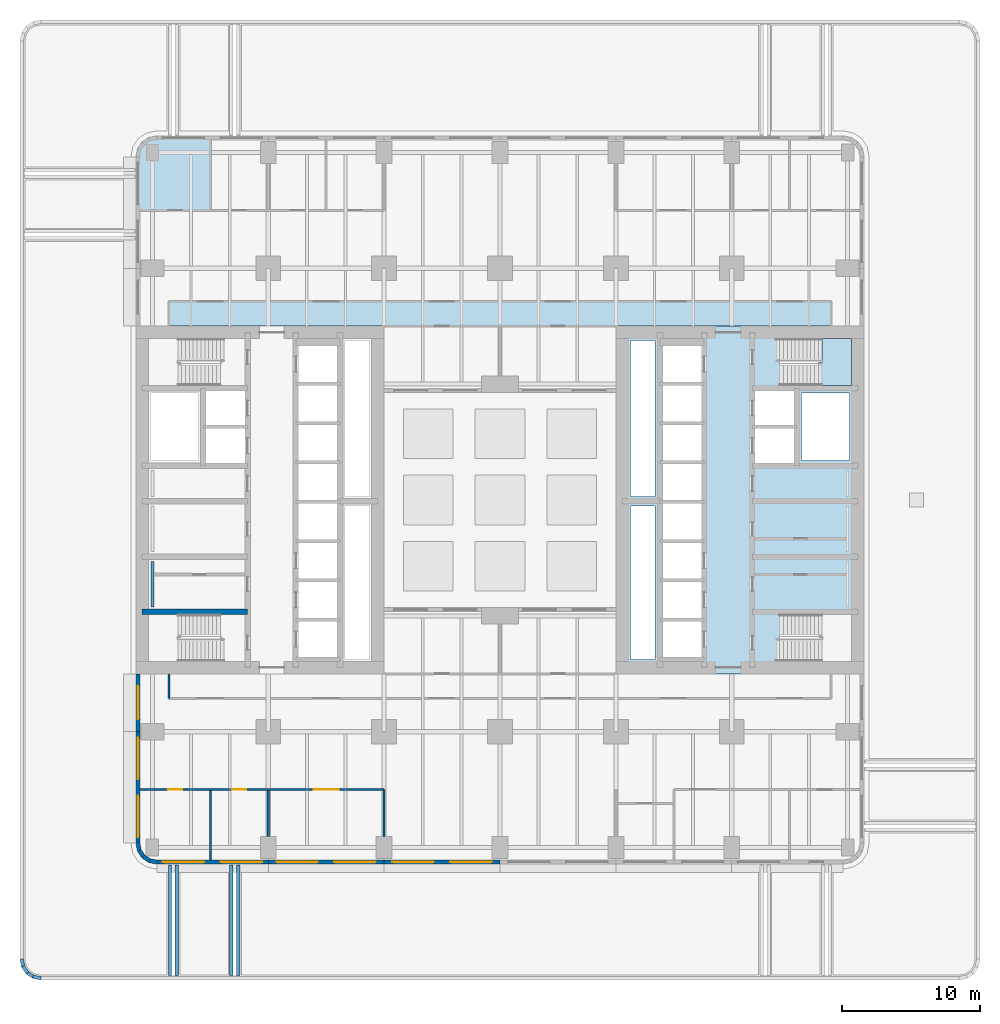
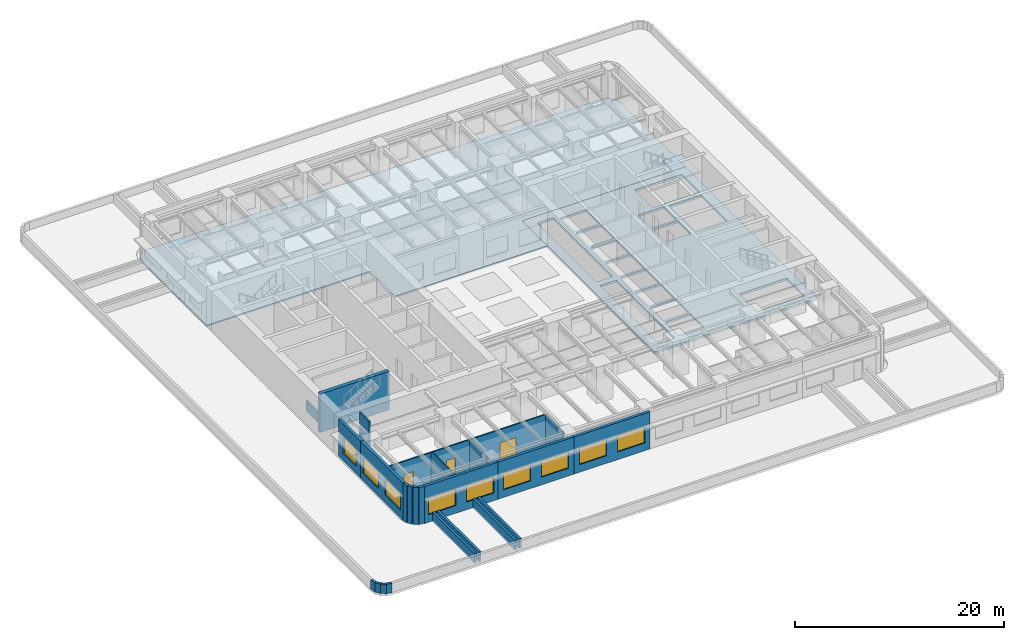
# One storey, part 3 of 17: 24 walls, 9 windows, 3 doors, 3 slabs, 12 openings, 1 element without a shape of its own.
"""IFC4 building model written with IfcOpenShell, lengths in metres."""

from ifc_helpers import new_model, si_unit, direction, frame, frame_2d, origin, place, context, subcontext, project, spatial, polyline, rectangle, outline, extrude, material, layer, layer_set, type_object, element, fill, aggregate, save


model = new_model("IFC4")

# Units and contexts
model_context = context("Model", 3, precision=1e-05, world=origin(), true_north=direction((0.0, 1.0)))
body_context = subcontext(model_context, "Body", "Model", "MODEL_VIEW")
ifc_project = project(units=[si_unit("LENGTHUNIT", "METRE"), si_unit("AREAUNIT", "SQUARE_METRE"), si_unit("VOLUMEUNIT", "CUBIC_METRE"), si_unit("PLANEANGLEUNIT", "RADIAN"), si_unit("MASSUNIT", "GRAM", prefix="KILO")], contexts=[model_context])

# Site, building, storey
site_placement = place(None, origin())
site = spatial("IfcSite", under=ifc_project, at=site_placement, CompositionType="ELEMENT")
building_placement = place(site_placement, origin())
building = spatial("IfcBuilding", under=site, at=building_placement, Name="Claustro Exchange Tower", CompositionType="ELEMENT")
storey_placement = place(building_placement, frame((0.0, 0.0, 18.89990234375)))
storey = spatial("IfcBuildingStorey", under=building, at=storey_placement, Name="L04", CompositionType="ELEMENT", Elevation=18.89990234375)

# Slabs
ifc_material_1 = material(Name="Concrete HA-50 (C50/60)", Category="concrete")
ifc_layer_1 = layer(ifc_material_1, 0.159912109375)
ifc_layer_set_1 = layer_set([ifc_layer_1], Name="Concrete HA-50 (C50/60)")
slab_type_1 = type_object("IfcSlabType", Name="S1 160 composite floor slab", PredefinedType="FLOOR", material=ifc_layer_set_1)
slab_1_placement = place(storey_placement, frame((0.0, 0.0, -0.159912109375)))
element("IfcSlab", 1, at=slab_1_placement, inside=storey, type_object=slab_type_1, Name="Floor slab S1 N L04", PredefinedType="FLOOR", context=body_context, shape_type="SweptSolid", body=[
    extrude(outline(polyline([(16.800048828125, 37.800048828125), (16.800048828125, 33.0), (33.60009765625, 33.0), (33.60009765625, 37.800048828125), (51.60009765625, 37.800048828125), (51.60009765625, 50.10009765625), (51.48583984375, 50.674072265625), (51.16064453125, 51.16064453125), (50.674072265625, 51.48583984375), (50.10009765625, 51.60009765625), (0.300048828125, 51.60009765625), (-0.27392578125, 51.48583984375), (-0.7607421875, 51.16064453125), (-1.085693359375, 50.674072265625), (-1.199951171875, 50.10009765625), (-1.199951171875, 37.800048828125), (16.800048828125, 37.800048828125)])), origin(), (0.0, 0.0, 1.0), 0.159912109375),
])
ifc_material_2 = material(Name="Concrete HA-50 (C50/60)", Category="concrete")
ifc_layer_2 = layer(ifc_material_2, 0.25)
ifc_layer_set_2 = layer_set([ifc_layer_2], Name="Concrete HA-50 (C50/60)")
slab_type_2 = type_object("IfcSlabType", Name="S7 250 core floor slab", PredefinedType="FLOOR", material=ifc_layer_set_2)
slab_2_placement = place(storey_placement, frame((0.0, 0.0, -0.25)))
element("IfcSlab", 2, at=slab_2_placement, inside=storey, type_object=slab_type_2, Name="Core floor slab S7 E core L04", PredefinedType="FLOOR", context=body_context, shape_type="SweptSolid", body=[
    extrude(outline(polyline([(33.60009765625, 12.60009765625), (51.60009765625, 12.60009765625), (51.60009765625, 37.800048828125), (33.60009765625, 37.800048828125), (33.60009765625, 12.60009765625)]), holes=[polyline([(45.47998046875, 35.199951171875), (45.47998046875, 36.89990234375), (50.699951171875, 36.89990234375), (50.699951171875, 35.199951171875), (50.699951171875, 33.5), (45.485107421875, 33.5), (45.485107421875, 35.199951171875), (45.47998046875, 35.199951171875)]), polyline([(45.485107421875, 15.199951171875), (45.485107421875, 16.89990234375), (50.699951171875, 16.89990234375), (50.699951171875, 15.199951171875), (50.699951171875, 13.5), (45.47998046875, 13.5), (45.47998046875, 15.199951171875), (45.485107421875, 15.199951171875)]), polyline([(50.550048828125, 32.949951171875), (50.550048828125, 28.050048828125), (47.050048828125, 28.050048828125), (47.050048828125, 32.949951171875), (50.550048828125, 32.949951171875)]), polyline([(46.5, 30.375), (46.5, 27.89990234375), (43.699951171875, 27.89990234375), (43.699951171875, 30.375), (46.5, 30.375)]), polyline([(46.5, 33.10009765625), (46.5, 30.625), (43.699951171875, 30.625), (43.699951171875, 33.10009765625), (46.5, 33.10009765625)]), polyline([(37.0, 16.39990234375), (39.800048828125, 16.39990234375), (39.800048828125, 13.800048828125), (37.0, 13.800048828125), (37.0, 16.39990234375)]), polyline([(39.800048828125, 19.25), (39.800048828125, 16.64990234375), (37.0, 16.64990234375), (37.0, 19.25), (39.800048828125, 19.25)]), polyline([(39.800048828125, 22.10009765625), (39.800048828125, 19.5), (37.0, 19.5), (37.0, 22.10009765625), (39.800048828125, 22.10009765625)]), polyline([(39.800048828125, 24.949951171875), (39.800048828125, 22.35009765625), (37.0, 22.35009765625), (37.0, 24.949951171875), (39.800048828125, 24.949951171875)]), polyline([(39.800048828125, 27.800048828125), (39.800048828125, 25.199951171875), (37.0, 25.199951171875), (37.0, 27.800048828125), (39.800048828125, 27.800048828125)]), polyline([(39.800048828125, 30.64990234375), (39.800048828125, 28.050048828125), (37.0, 28.050048828125), (37.0, 30.64990234375), (39.800048828125, 30.64990234375)]), polyline([(39.800048828125, 33.5), (39.800048828125, 30.89990234375), (37.0, 30.89990234375), (37.0, 33.5), (39.800048828125, 33.5)]), polyline([(39.800048828125, 36.35009765625), (39.800048828125, 33.75), (37.0, 33.75), (37.0, 36.35009765625), (39.800048828125, 36.35009765625)]), polyline([(36.449951171875, 24.75), (36.449951171875, 13.64990234375), (34.64990234375, 13.64990234375), (34.64990234375, 24.75), (36.449951171875, 24.75)]), polyline([(36.449951171875, 36.75), (36.449951171875, 25.449951171875), (34.64990234375, 25.449951171875), (34.64990234375, 36.75), (36.449951171875, 36.75)])]), origin(), (0.0, 0.0, 1.0), 0.25),
])

# Stair, slab
ifc_material_3 = material(Name="Concrete HA-30 (C30/37), precast", Category="concrete")
stair_type = type_object("IfcStairType", Name="ST2 half-turn stair, 25 risers of 180", PredefinedType="HALF_TURN_STAIR", material=ifc_material_3)
stair_placement = place(storey_placement, origin())
stair = element("IfcStair", 3, at=stair_placement, inside=storey, type_object=stair_type, Name="Stair STEB L04", PredefinedType="HALF_TURN_STAIR")
ifc_material_4 = material(Name="Concrete HA-30 (C30/37), precast", Category="concrete")
ifc_layer_3 = layer(ifc_material_4, 0.199951171875)
ifc_layer_set_3 = layer_set([ifc_layer_3], Name="Concrete HA-30 (C30/37), precast")
slab_type_3 = type_object("IfcSlabType", Name="S9 200 stair landing", PredefinedType="LANDING", material=ifc_layer_set_3)
slab_3_placement = place(storey_placement, frame((0.0, 0.0, 2.14013671875)))
slab_3 = element("IfcSlab", 4, at=slab_3_placement, type_object=slab_type_3, Name="STEB landing 1", PredefinedType="LANDING", context=body_context, shape_type="SweptSolid", body=[
    extrude(outline(polyline([(48.280029296875, 33.5), (48.280029296875, 35.199951171875), (48.554931640625, 35.199951171875), (48.554931640625, 36.89990234375), (50.699951171875, 36.89990234375), (50.699951171875, 33.5), (48.56005859375, 33.5), (48.554931640625, 33.5), (48.280029296875, 33.5)])), origin(), (0.0, 0.0, 1.0), 0.199951171875),
])
aggregate(stair, [slab_3])

# Wall, openings, doors
ifc_material_5 = material(Name="Gypsum board on steel studs", Category="steel")
ifc_layer_4 = layer(ifc_material_5, 0.14990234375)
ifc_layer_set_4 = layer_set([ifc_layer_4], Name="Gypsum board on steel studs")
wall_type_1 = type_object("IfcWallType", Name="P1 150 plasterboard partition", PredefinedType="PARTITIONING", material=ifc_layer_set_4)
wall_1_placement = place(storey_placement, frame((-0.902099609375, 4.199951171875, 0.0), z_axis=(0.0, 0.0, 1.0), x_axis=(1.0, 0.0, 0.0)))
wall_1 = element("IfcWall", 5, at=wall_1_placement, inside=storey, type_object=wall_type_1, Name="Partition P1 L04", PredefinedType="PARTITIONING", context=body_context, shape_type="SweptSolid", body=[
    extrude(rectangle(XDim=17.7021484375, YDim=0.14990234375, at=frame_2d((8.85107421875, 0.0))), origin(), (0.0, 0.0, 1.0), 3.739990234375),
])
opening_1_placement = place(wall_1_placement, frame((2.052001953125, 0.0, 0.0)))
opening_1 = element("IfcOpeningElement", 6, at=opening_1_placement, cuts=wall_1, Name="Opening D1", PredefinedType="OPENING", context=body_context, shape_type="SweptSolid", body=[
    extrude(rectangle(XDim=1.0, YDim=2.199951171875, at=frame_2d((0.5, 1.10009765625))), frame((0.0, 0.0849609375, 0.0), z_axis=(0.0, -1.0, 0.0), x_axis=(1.0, 0.0, 0.0)), (0.0, 0.0, 1.0), 0.169921875),
])
opening_2_placement = place(wall_1_placement, frame((6.701904296875, 0.0, 0.0)))
opening_2 = element("IfcOpeningElement", 7, at=opening_2_placement, cuts=wall_1, Name="Opening D1", PredefinedType="OPENING", context=body_context, shape_type="SweptSolid", body=[
    extrude(rectangle(XDim=1.0, YDim=2.199951171875, at=frame_2d((0.5, 1.10009765625))), frame((0.0, 0.0849609375, 0.0), z_axis=(0.0, -1.0, 0.0), x_axis=(1.0, 0.0, 0.0)), (0.0, 0.0, 1.0), 0.169921875),
])
opening_3_placement = place(wall_1_placement, frame((12.60205078125, 0.0, 0.0)))
opening_3 = element("IfcOpeningElement", 8, at=opening_3_placement, cuts=wall_1, Name="Opening D2", PredefinedType="OPENING", context=body_context, shape_type="SweptSolid", body=[
    extrude(rectangle(XDim=1.800048828125, YDim=2.199951171875, at=frame_2d((0.89990234375, 1.10009765625))), frame((0.0, 0.0849609375, 0.0), z_axis=(0.0, -1.0, 0.0), x_axis=(1.0, 0.0, 0.0)), (0.0, 0.0, 1.0), 0.169921875),
])
ifc_material_6 = material(Name="Timber door, oak veneer", Category="wood")
door_type_1 = type_object("IfcDoorType", Name="D1 1000 x 2200 single door", OperationType="SINGLE_SWING_LEFT", PredefinedType="DOOR", material=ifc_material_6)
door_1_placement = place(opening_1_placement, frame((1.0, 0.0, 0.0), z_axis=(0.0, 0.0, 1.0), x_axis=(-1.0, 0.0, 0.0)))
door_1 = element("IfcDoor", 9, at=door_1_placement, inside=storey, type_object=door_type_1, Name="Door D1 L04", OperationType="SINGLE_SWING_LEFT", OverallHeight=2.199951171875, OverallWidth=1.0, PredefinedType="DOOR", context=body_context, shape_type="SweptSolid", body=[
    extrude(rectangle(XDim=1.0, YDim=2.199951171875, at=frame_2d((0.5, 1.10009765625))), frame((0.0, 0.02490234375, 0.0), z_axis=(0.0, -1.0, 0.0), x_axis=(1.0, 0.0, 0.0)), (0.0, 0.0, 1.0), 0.050048828125),
])
fill(opening_1, door_1)
door_2_placement = place(opening_2_placement, frame((1.0, 0.0, 0.0), z_axis=(0.0, 0.0, 1.0), x_axis=(-1.0, 0.0, 0.0)))
door_2 = element("IfcDoor", 10, at=door_2_placement, inside=storey, type_object=door_type_1, Name="Door D1 L04", OperationType="SINGLE_SWING_RIGHT", OverallHeight=2.199951171875, OverallWidth=1.0, PredefinedType="DOOR", context=body_context, shape_type="SweptSolid", body=[
    extrude(rectangle(XDim=1.0, YDim=2.199951171875, at=frame_2d((0.5, 1.10009765625))), frame((0.0, 0.02490234375, 0.0), z_axis=(0.0, -1.0, 0.0), x_axis=(1.0, 0.0, 0.0)), (0.0, 0.0, 1.0), 0.050048828125),
])
fill(opening_2, door_2)
ifc_material_7 = material(Name="Timber door, oak veneer", Category="wood")
door_type_2 = type_object("IfcDoorType", Name="D2 1800 x 2200 double door", OperationType="DOUBLE_DOOR_SINGLE_SWING", PredefinedType="DOOR", material=ifc_material_7)
door_3_placement = place(opening_3_placement, frame((1.800048828125, 0.0, 0.0), z_axis=(0.0, 0.0, 1.0), x_axis=(-1.0, 0.0, 0.0)))
door_3 = element("IfcDoor", 11, at=door_3_placement, inside=storey, type_object=door_type_2, Name="Double door D2 L04", OperationType="DOUBLE_DOOR_SINGLE_SWING", OverallHeight=2.199951171875, OverallWidth=1.800048828125, PredefinedType="DOOR", context=body_context, shape_type="SweptSolid", body=[
    extrude(rectangle(XDim=1.800048828125, YDim=2.199951171875, at=frame_2d((0.89990234375, 1.10009765625))), frame((0.0, 0.02490234375, 0.0), z_axis=(0.0, -1.0, 0.0), x_axis=(1.0, 0.0, 0.0)), (0.0, 0.0, 1.0), 0.050048828125),
])
fill(opening_3, door_3)

# Walls
wall_2_placement = place(storey_placement, frame((4.199951171875, -0.902099609375, 0.0), z_axis=(0.0, 0.0, 1.0), x_axis=(0.0, 1.0, 0.0)))
element("IfcWall", 12, at=wall_2_placement, inside=storey, type_object=wall_type_1, Name="Partition P1 L04", PredefinedType="PARTITIONING", context=body_context, shape_type="SweptSolid", body=[
    extrude(rectangle(XDim=5.028076171875, YDim=0.14990234375, at=frame_2d((2.51416015625, 0.0))), origin(), (0.0, 0.0, 1.0), 3.840087890625),
])
wall_3_placement = place(storey_placement, frame((8.39990234375, 0.799072265625, 0.0), z_axis=(0.0, 0.0, 1.0), x_axis=(0.0, 1.0, 0.0)))
element("IfcWall", 13, at=wall_3_placement, inside=storey, type_object=wall_type_1, Name="Partition P1 L04", PredefinedType="PARTITIONING", context=body_context, shape_type="SweptSolid", body=[
    extrude(rectangle(XDim=3.326904296875, YDim=0.14990234375, at=frame_2d((1.66357421875, 0.0))), origin(), (0.0, 0.0, 1.0), 3.739990234375),
])
wall_4_placement = place(storey_placement, frame((16.800048828125, 0.799072265625, 0.0), z_axis=(0.0, 0.0, 1.0), x_axis=(0.0, 1.0, 0.0)))
element("IfcWall", 14, at=wall_4_placement, inside=storey, type_object=wall_type_1, Name="Partition P1 L04", PredefinedType="PARTITIONING", context=body_context, shape_type="SweptSolid", body=[
    extrude(rectangle(XDim=3.40087890625, YDim=0.14990234375, at=frame_2d((1.700439453125, 0.0))), origin(), (0.0, 0.0, 1.0), 3.739990234375),
])
wall_5_placement = place(storey_placement, frame((1.199951171875, 10.800048828125, 0.0), z_axis=(0.0, 0.0, 1.0), x_axis=(0.0, 1.0, 0.0)))
element("IfcWall", 15, at=wall_5_placement, inside=storey, type_object=wall_type_1, Name="Partition P1 L04", PredefinedType="PARTITIONING", context=body_context, shape_type="SweptSolid", body=[
    extrude(rectangle(XDim=1.802001953125, YDim=0.14990234375, at=frame_2d((0.90087890625, 0.0))), origin(), (0.0, 0.0, 1.0), 4.340087890625),
])

# Wall, openings, windows
ifc_material_8 = material(Name="Concrete HA-40 (C40/50), precast, white cement, acid-etched", Category="concrete")
ifc_layer_5 = layer(ifc_material_8, 0.300048828125)
ifc_layer_set_5 = layer_set([ifc_layer_5], Name="Concrete HA-40 (C40/50), precast, white cement, acid-etched")
wall_type_2 = type_object("IfcWallType", Name="PC1 300 precast concrete pier panel", PredefinedType="SOLIDWALL", material=ifc_layer_set_5)
wall_6_placement = place(storey_placement, frame((25.199951171875, -1.050048828125, 0.0), z_axis=(0.0, 0.0, 1.0), x_axis=(-1.0, 0.0, 0.0)))
wall_6 = element("IfcWall", 16, at=wall_6_placement, inside=storey, type_object=wall_type_2, Name="Precast pier panel PC1 L04", PredefinedType="SOLIDWALL", context=body_context, shape_type="SweptSolid", body=[
    extrude(rectangle(XDim=8.39990234375, YDim=0.300048828125, at=frame_2d((4.199951171875, 0.0))), origin(), (0.0, 0.0, 1.0), 4.340087890625),
])
opening_4_placement = place(wall_6_placement, frame((0.60009765625, 0.0, 0.89990234375)))
opening_4 = element("IfcOpeningElement", 17, at=opening_4_placement, cuts=wall_6, Name="Opening W1", PredefinedType="OPENING", context=body_context, shape_type="SweptSolid", body=[
    extrude(rectangle(XDim=3.0, YDim=1.89990234375, at=frame_2d((1.5, 0.949951171875))), frame((0.0, 0.159912109375, 0.0), z_axis=(0.0, -1.0, 0.0), x_axis=(1.0, 0.0, 0.0)), (0.0, 0.0, 1.0), 0.320068359375),
])
opening_5_placement = place(wall_6_placement, frame((4.800048828125, 0.0, 0.89990234375)))
opening_5 = element("IfcOpeningElement", 18, at=opening_5_placement, cuts=wall_6, Name="Opening W1", PredefinedType="OPENING", context=body_context, shape_type="SweptSolid", body=[
    extrude(rectangle(XDim=3.0, YDim=1.89990234375, at=frame_2d((1.5, 0.949951171875))), frame((0.0, 0.159912109375, 0.0), z_axis=(0.0, -1.0, 0.0), x_axis=(1.0, 0.0, 0.0)), (0.0, 0.0, 1.0), 0.320068359375),
])
ifc_material_9 = material(Name="Aluminium frame, clear double glazing", Category="aluminium")
window_type_1 = type_object("IfcWindowType", Name="W1 3000 x 1900 window", PartitioningType="SINGLE_PANEL", PredefinedType="WINDOW", material=ifc_material_9)
window_1_placement = place(opening_4_placement, origin())
window_1 = element("IfcWindow", 19, at=window_1_placement, inside=storey, type_object=window_type_1, Name="Window W1 L04", OverallHeight=1.89990234375, OverallWidth=3.0, PartitioningType="SINGLE_PANEL", PredefinedType="WINDOW", context=body_context, shape_type="SweptSolid", body=[
    extrude(rectangle(XDim=3.0, YDim=1.89990234375, at=frame_2d((1.5, 0.949951171875))), frame((0.0, 0.030029296875, 0.0), z_axis=(0.0, -1.0, 0.0), x_axis=(1.0, 0.0, 0.0)), (0.0, 0.0, 1.0), 0.06005859375),
])
fill(opening_4, window_1)
window_2_placement = place(opening_5_placement, origin())
window_2 = element("IfcWindow", 20, at=window_2_placement, inside=storey, type_object=window_type_1, Name="Window W1 L04", OverallHeight=1.89990234375, OverallWidth=3.0, PartitioningType="SINGLE_PANEL", PredefinedType="WINDOW", context=body_context, shape_type="SweptSolid", body=[
    extrude(rectangle(XDim=3.0, YDim=1.89990234375, at=frame_2d((1.5, 0.949951171875))), frame((0.0, 0.030029296875, 0.0), z_axis=(0.0, -1.0, 0.0), x_axis=(1.0, 0.0, 0.0)), (0.0, 0.0, 1.0), 0.06005859375),
])
fill(opening_5, window_2)

wall_7_placement = place(storey_placement, frame((16.800048828125, -1.050048828125, 0.0), z_axis=(0.0, 0.0, 1.0), x_axis=(-1.0, 0.0, 0.0)))
wall_7 = element("IfcWall", 21, at=wall_7_placement, inside=storey, type_object=wall_type_2, Name="Precast pier panel PC1 L04", PredefinedType="SOLIDWALL", context=body_context, shape_type="SweptSolid", body=[
    extrude(rectangle(XDim=8.400146484375, YDim=0.300048828125, at=frame_2d((4.2001953125, 0.0))), origin(), (0.0, 0.0, 1.0), 4.340087890625),
])
opening_6_placement = place(wall_7_placement, frame((0.60009765625, 0.0, 0.89990234375)))
opening_6 = element("IfcOpeningElement", 22, at=opening_6_placement, cuts=wall_7, Name="Opening W1", PredefinedType="OPENING", context=body_context, shape_type="SweptSolid", body=[
    extrude(rectangle(XDim=3.0, YDim=1.89990234375, at=frame_2d((1.5, 0.949951171875))), frame((0.0, 0.159912109375, 0.0), z_axis=(0.0, -1.0, 0.0), x_axis=(1.0, 0.0, 0.0)), (0.0, 0.0, 1.0), 0.320068359375),
])
opening_7_placement = place(wall_7_placement, frame((4.800048828125, 0.0, 0.89990234375)))
opening_7 = element("IfcOpeningElement", 23, at=opening_7_placement, cuts=wall_7, Name="Opening W1", PredefinedType="OPENING", context=body_context, shape_type="SweptSolid", body=[
    extrude(rectangle(XDim=3.0, YDim=1.89990234375, at=frame_2d((1.5, 0.949951171875))), frame((0.0, 0.159912109375, 0.0), z_axis=(0.0, -1.0, 0.0), x_axis=(1.0, 0.0, 0.0)), (0.0, 0.0, 1.0), 0.320068359375),
])
window_3_placement = place(opening_6_placement, origin())
window_3 = element("IfcWindow", 24, at=window_3_placement, inside=storey, type_object=window_type_1, Name="Window W1 L04", OverallHeight=1.89990234375, OverallWidth=3.0, PartitioningType="SINGLE_PANEL", PredefinedType="WINDOW", context=body_context, shape_type="SweptSolid", body=[
    extrude(rectangle(XDim=3.0, YDim=1.89990234375, at=frame_2d((1.5, 0.949951171875))), frame((0.0, 0.030029296875, 0.0), z_axis=(0.0, -1.0, 0.0), x_axis=(1.0, 0.0, 0.0)), (0.0, 0.0, 1.0), 0.06005859375),
])
fill(opening_6, window_3)
window_4_placement = place(opening_7_placement, origin())
window_4 = element("IfcWindow", 25, at=window_4_placement, inside=storey, type_object=window_type_1, Name="Window W1 L04", OverallHeight=1.89990234375, OverallWidth=3.0, PartitioningType="SINGLE_PANEL", PredefinedType="WINDOW", context=body_context, shape_type="SweptSolid", body=[
    extrude(rectangle(XDim=3.0, YDim=1.89990234375, at=frame_2d((1.5, 0.949951171875))), frame((0.0, 0.030029296875, 0.0), z_axis=(0.0, -1.0, 0.0), x_axis=(1.0, 0.0, 0.0)), (0.0, 0.0, 1.0), 0.06005859375),
])
fill(opening_7, window_4)

wall_8_placement = place(storey_placement, frame((8.39990234375, -1.050048828125, 0.0), z_axis=(0.0, 0.0, 1.0), x_axis=(-1.0, 0.0, 0.0)))
wall_8 = element("IfcWall", 26, at=wall_8_placement, inside=storey, type_object=wall_type_2, Name="Precast pier panel PC1 L04", PredefinedType="SOLIDWALL", context=body_context, shape_type="SweptSolid", body=[
    extrude(rectangle(XDim=8.085205078125, YDim=0.300048828125, at=frame_2d((4.04248046875, 0.0))), origin(), (0.0, 0.0, 1.0), 4.340087890625),
])
opening_8_placement = place(wall_8_placement, frame((0.442626953125, 0.0, 0.89990234375)))
opening_8 = element("IfcOpeningElement", 27, at=opening_8_placement, cuts=wall_8, Name="Opening W1", PredefinedType="OPENING", context=body_context, shape_type="SweptSolid", body=[
    extrude(rectangle(XDim=3.0, YDim=1.89990234375, at=frame_2d((1.5, 0.949951171875))), frame((0.0, 0.159912109375, 0.0), z_axis=(0.0, -1.0, 0.0), x_axis=(1.0, 0.0, 0.0)), (0.0, 0.0, 1.0), 0.320068359375),
])
opening_9_placement = place(wall_8_placement, frame((4.642578125, 0.0, 0.89990234375)))
opening_9 = element("IfcOpeningElement", 28, at=opening_9_placement, cuts=wall_8, Name="Opening W1", PredefinedType="OPENING", context=body_context, shape_type="SweptSolid", body=[
    extrude(rectangle(XDim=3.0, YDim=1.89990234375, at=frame_2d((1.5, 0.949951171875))), frame((0.0, 0.159912109375, 0.0), z_axis=(0.0, -1.0, 0.0), x_axis=(1.0, 0.0, 0.0)), (0.0, 0.0, 1.0), 0.320068359375),
])
window_5_placement = place(opening_8_placement, origin())
window_5 = element("IfcWindow", 29, at=window_5_placement, inside=storey, type_object=window_type_1, Name="Window W1 L04", OverallHeight=1.89990234375, OverallWidth=3.0, PartitioningType="SINGLE_PANEL", PredefinedType="WINDOW", context=body_context, shape_type="SweptSolid", body=[
    extrude(rectangle(XDim=3.0, YDim=1.89990234375, at=frame_2d((1.5, 0.949951171875))), frame((0.0, 0.030029296875, 0.0), z_axis=(0.0, -1.0, 0.0), x_axis=(1.0, 0.0, 0.0)), (0.0, 0.0, 1.0), 0.06005859375),
])
fill(opening_8, window_5)
window_6_placement = place(opening_9_placement, origin())
window_6 = element("IfcWindow", 30, at=window_6_placement, inside=storey, type_object=window_type_1, Name="Window W1 L04", OverallHeight=1.89990234375, OverallWidth=3.0, PartitioningType="SINGLE_PANEL", PredefinedType="WINDOW", context=body_context, shape_type="SweptSolid", body=[
    extrude(rectangle(XDim=3.0, YDim=1.89990234375, at=frame_2d((1.5, 0.949951171875))), frame((0.0, 0.030029296875, 0.0), z_axis=(0.0, -1.0, 0.0), x_axis=(1.0, 0.0, 0.0)), (0.0, 0.0, 1.0), 0.06005859375),
])
fill(opening_9, window_6)

# Walls
wall_9_placement = place(storey_placement, frame((0.314697265625, -1.050048828125, 0.0), z_axis=(0.0, 0.0, 1.0), x_axis=(-0.980788534345, 0.195073962632, 0.0)))
element("IfcWall", 31, at=wall_9_placement, inside=storey, type_object=wall_type_2, Name="Precast pier panel PC1 L04", PredefinedType="SOLIDWALL", context=body_context, shape_type="SweptSolid", body=[
    extrude(rectangle(XDim=0.540771484375, YDim=0.300048828125, at=frame_2d((0.2705078125, 0.0))), origin(), (0.0, 0.0, 1.0), 4.340087890625),
])
for number, where, z_axis, x_axis, name in (
    (32, (-0.215576171875, -0.944580078125, 0.0), (0.0, 0.0, 1.0), (-0.831478144188, 0.555557463938, 0.0), "Precast pier panel PC1 L04"),
    (33, (-0.652587890625, -0.652587890625, 0.0), (0.0, 0.0, 1.0), (-0.555557463938, 0.831478144188, 0.0), "Precast pier panel PC1 L04"),
):
    element("IfcWall", number, at=place(storey_placement, frame(where, z_axis=z_axis, x_axis=x_axis)), inside=storey, type_object=wall_type_2, Name=name, PredefinedType="SOLIDWALL", context=body_context, shape_type="SweptSolid", body=[
        extrude(rectangle(XDim=0.525634765625, YDim=0.300048828125, at=frame_2d((0.2626953125, 0.0))), origin(), (0.0, 0.0, 1.0), 4.340087890625),
    ])
wall_10_placement = place(storey_placement, frame((-0.944580078125, -0.215576171875, 0.0), z_axis=(0.0, 0.0, 1.0), x_axis=(-0.195073962632, 0.980788534345, 0.0)))
element("IfcWall", 34, at=wall_10_placement, inside=storey, type_object=wall_type_2, Name="Precast pier panel PC1 L04", PredefinedType="SOLIDWALL", context=body_context, shape_type="SweptSolid", body=[
    extrude(rectangle(XDim=0.540771484375, YDim=0.300048828125, at=frame_2d((0.2705078125, 0.0))), origin(), (0.0, 0.0, 1.0), 4.340087890625),
])

# Wall, openings, windows
wall_11_placement = place(storey_placement, frame((-1.050048828125, 0.314697265625, 0.0), z_axis=(0.0, 0.0, 1.0), x_axis=(0.0, 1.0, 0.0)))
wall_11 = element("IfcWall", 35, at=wall_11_placement, inside=storey, type_object=wall_type_2, Name="Precast pier panel PC1 L04", PredefinedType="SOLIDWALL", context=body_context, shape_type="SweptSolid", body=[
    extrude(rectangle(XDim=8.085205078125, YDim=0.300048828125, at=frame_2d((4.04248046875, 0.0))), origin(), (0.0, 0.0, 1.0), 4.340087890625),
])
opening_10_placement = place(wall_11_placement, frame((0.442626953125, 0.0, 0.89990234375)))
opening_10 = element("IfcOpeningElement", 36, at=opening_10_placement, cuts=wall_11, Name="Opening W1", PredefinedType="OPENING", context=body_context, shape_type="SweptSolid", body=[
    extrude(rectangle(XDim=3.0, YDim=1.89990234375, at=frame_2d((1.5, 0.949951171875))), frame((0.0, 0.159912109375, 0.0), z_axis=(0.0, -1.0, 0.0), x_axis=(1.0, 0.0, 0.0)), (0.0, 0.0, 1.0), 0.320068359375),
])
opening_11_placement = place(wall_11_placement, frame((4.642578125, 0.0, 0.89990234375)))
opening_11 = element("IfcOpeningElement", 37, at=opening_11_placement, cuts=wall_11, Name="Opening W1", PredefinedType="OPENING", context=body_context, shape_type="SweptSolid", body=[
    extrude(rectangle(XDim=3.0, YDim=1.89990234375, at=frame_2d((1.5, 0.949951171875))), frame((0.0, 0.159912109375, 0.0), z_axis=(0.0, -1.0, 0.0), x_axis=(1.0, 0.0, 0.0)), (0.0, 0.0, 1.0), 0.320068359375),
])
window_7_placement = place(opening_10_placement, origin())
window_7 = element("IfcWindow", 38, at=window_7_placement, inside=storey, type_object=window_type_1, Name="Window W1 L04", OverallHeight=1.89990234375, OverallWidth=3.0, PartitioningType="SINGLE_PANEL", PredefinedType="WINDOW", context=body_context, shape_type="SweptSolid", body=[
    extrude(rectangle(XDim=3.0, YDim=1.89990234375, at=frame_2d((1.5, 0.949951171875))), frame((0.0, 0.030029296875, 0.0), z_axis=(0.0, -1.0, 0.0), x_axis=(1.0, 0.0, 0.0)), (0.0, 0.0, 1.0), 0.06005859375),
])
fill(opening_10, window_7)
window_8_placement = place(opening_11_placement, origin())
window_8 = element("IfcWindow", 39, at=window_8_placement, inside=storey, type_object=window_type_1, Name="Window W1 L04", OverallHeight=1.89990234375, OverallWidth=3.0, PartitioningType="SINGLE_PANEL", PredefinedType="WINDOW", context=body_context, shape_type="SweptSolid", body=[
    extrude(rectangle(XDim=3.0, YDim=1.89990234375, at=frame_2d((1.5, 0.949951171875))), frame((0.0, 0.030029296875, 0.0), z_axis=(0.0, -1.0, 0.0), x_axis=(1.0, 0.0, 0.0)), (0.0, 0.0, 1.0), 0.06005859375),
])
fill(opening_11, window_8)

# Wall, opening, window
wall_12_placement = place(storey_placement, frame((-1.050048828125, 8.39990234375, 0.0), z_axis=(0.0, 0.0, 1.0), x_axis=(0.0, 1.0, 0.0)))
wall_12 = element("IfcWall", 40, at=wall_12_placement, inside=storey, type_object=wall_type_2, Name="Precast pier panel PC1 L04", PredefinedType="SOLIDWALL", context=body_context, shape_type="SweptSolid", body=[
    extrude(rectangle(XDim=4.2001953125, YDim=0.300048828125, at=frame_2d((2.10009765625, 0.0))), origin(), (0.0, 0.0, 1.0), 4.340087890625),
])
opening_12_placement = place(wall_12_placement, frame((0.89990234375, 0.0, 0.89990234375)))
opening_12 = element("IfcOpeningElement", 41, at=opening_12_placement, cuts=wall_12, Name="Opening W2", PredefinedType="OPENING", context=body_context, shape_type="SweptSolid", body=[
    extrude(rectangle(XDim=2.39990234375, YDim=1.89990234375, at=frame_2d((1.199951171875, 0.949951171875))), frame((0.0, 0.159912109375, 0.0), z_axis=(0.0, -1.0, 0.0), x_axis=(1.0, 0.0, 0.0)), (0.0, 0.0, 1.0), 0.320068359375),
])
ifc_material_10 = material(Name="Aluminium frame, clear double glazing", Category="aluminium")
window_type_2 = type_object("IfcWindowType", Name="W2 2400 x 1900 window", PartitioningType="SINGLE_PANEL", PredefinedType="WINDOW", material=ifc_material_10)
window_9_placement = place(opening_12_placement, origin())
window_9 = element("IfcWindow", 42, at=window_9_placement, inside=storey, type_object=window_type_2, Name="Window W2 L04", OverallHeight=1.89990234375, OverallWidth=2.39990234375, PartitioningType="SINGLE_PANEL", PredefinedType="WINDOW", context=body_context, shape_type="SweptSolid", body=[
    extrude(rectangle(XDim=2.39990234375, YDim=1.89990234375, at=frame_2d((1.199951171875, 0.949951171875))), frame((0.0, 0.030029296875, 0.0), z_axis=(0.0, -1.0, 0.0), x_axis=(1.0, 0.0, 0.0)), (0.0, 0.0, 1.0), 0.06005859375),
])
fill(opening_12, window_9)

# Walls
ifc_material_11 = material(Name="Concrete HA-40 (C40/50), precast, white cement, acid-etched", Category="concrete")
ifc_layer_6 = layer(ifc_material_11, 0.25)
ifc_layer_set_6 = layer_set([ifc_layer_6], Name="Concrete HA-40 (C40/50), precast, white cement, acid-etched")
wall_type_3 = type_object("IfcWallType", Name="PP1 250 precast concrete parapet", PredefinedType="PARAPET", material=ifc_layer_set_6)
for number, where, z_axis, x_axis, name in (
    (43, (-8.6044921875, -9.3818359375, 0.0), (0.0, 0.0, 1.0), (-0.831729296682, 0.555181391115, 0.0), "Parapet PP1 roof at +18.900"),
    (44, (-9.056884765625, -9.09130859375, 0.0), (0.0, 0.0, 1.0), (-0.555181391115, 0.831729296682, 0.0), "Parapet PP1 roof at +18.900"),
    (45, (-9.36328125, -8.649658203125, 0.0), (0.0, 0.0, 1.0), (-0.1948322756, 0.980836573739, 0.0), "Parapet PP1 roof at +18.900"),
    (46, (-8.07568359375, -9.477294921875, 0.0), (0.0, 0.0, 1.0), (-0.980836573739, 0.1948322756, 0.0), "Parapet PP1 roof at +18.900"),
):
    element("IfcWall", number, at=place(storey_placement, frame(where, z_axis=z_axis, x_axis=x_axis)), inside=storey, type_object=wall_type_3, Name=name, PredefinedType="PARAPET", context=body_context, shape_type="SweptSolid", body=[
        extrude(rectangle(XDim=0.585205078125, YDim=0.25, at=frame_2d((0.29248046875, 0.0))), origin(), (0.0, 0.0, 1.0), 1.10009765625),
    ])
for number, where, z_axis, x_axis, name in (
    (47, (1.27490234375, -1.280029296875, 0.0), (0.0, 0.0, 1.0), (0.0, -1.0, 0.0), "Parapet PP1 roof at +18.900"),
    (48, (1.77490234375, -9.280029296875, 0.0), (0.0, 0.0, 1.0), (0.0, 1.0, 0.0), "Parapet PP1 roof at +18.900"),
    (49, (5.72509765625, -1.280029296875, 0.0), (0.0, 0.0, 1.0), (0.0, -1.0, 0.0), "Parapet PP1 roof at +18.900"),
    (50, (6.22509765625, -9.280029296875, 0.0), (0.0, 0.0, 1.0), (0.0, 1.0, 0.0), "Parapet PP1 roof at +18.900"),
):
    element("IfcWall", number, at=place(storey_placement, frame(where, z_axis=z_axis, x_axis=x_axis)), inside=storey, type_object=wall_type_3, Name=name, PredefinedType="PARAPET", context=body_context, shape_type="SweptSolid", body=[
        extrude(rectangle(XDim=8.0, YDim=0.25, at=frame_2d((4.0, 0.0))), origin(), (0.0, 0.0, 1.0), 1.10009765625),
    ])
ifc_material_12 = material(Name="Gypsum board on steel studs, tiled", Category="steel")
ifc_layer_7 = layer(ifc_material_12, 0.199951171875)
ifc_layer_set_7 = layer_set([ifc_layer_7], Name="Gypsum board on steel studs, tiled")
wall_type_4 = type_object("IfcWallType", Name="PW1 200 WC duct wall", PredefinedType="PLUMBINGWALL", material=ifc_layer_set_7)
wall_13_placement = place(storey_placement, frame((0.0, 17.449951171875, 0.0), z_axis=(0.0, 0.0, 1.0), x_axis=(0.0, 1.0, 0.0)))
element("IfcWall", 51, at=wall_13_placement, inside=storey, type_object=wall_type_4, Name="WC duct wall PW1 L04", PredefinedType="PLUMBINGWALL", context=body_context, shape_type="SweptSolid", body=[
    extrude(rectangle(XDim=3.300048828125, YDim=0.199951171875, at=frame_2d((1.64990234375, 0.0))), origin(), (0.0, 0.0, 1.0), 1.2001953125),
])
ifc_material_13 = material(Name="Concrete HA-50 (C50/60)", Category="concrete")
ifc_layer_8 = layer(ifc_material_13, 0.39990234375)
ifc_layer_set_8 = layer_set([ifc_layer_8], Name="Concrete HA-50 (C50/60)")
wall_type_5 = type_object("IfcWallType", Name="SW4 400 internal core wall", PredefinedType="SHEAR", material=ifc_layer_set_8)
wall_14_placement = place(storey_placement, frame((-0.75, 17.10009765625, 0.0), z_axis=(0.0, 0.0, 1.0), x_axis=(1.0, 0.0, 0.0)))
element("IfcWall", 52, at=wall_14_placement, inside=storey, type_object=wall_type_5, Name="Internal core wall SW4 W core L04", PredefinedType="SHEAR", context=body_context, shape_type="SweptSolid", body=[
    extrude(rectangle(XDim=7.64990234375, YDim=0.39990234375, at=frame_2d((3.824951171875, 0.0))), origin(), (0.0, 0.0, 1.0), 4.5),
])

save(model, "model.ifc")
